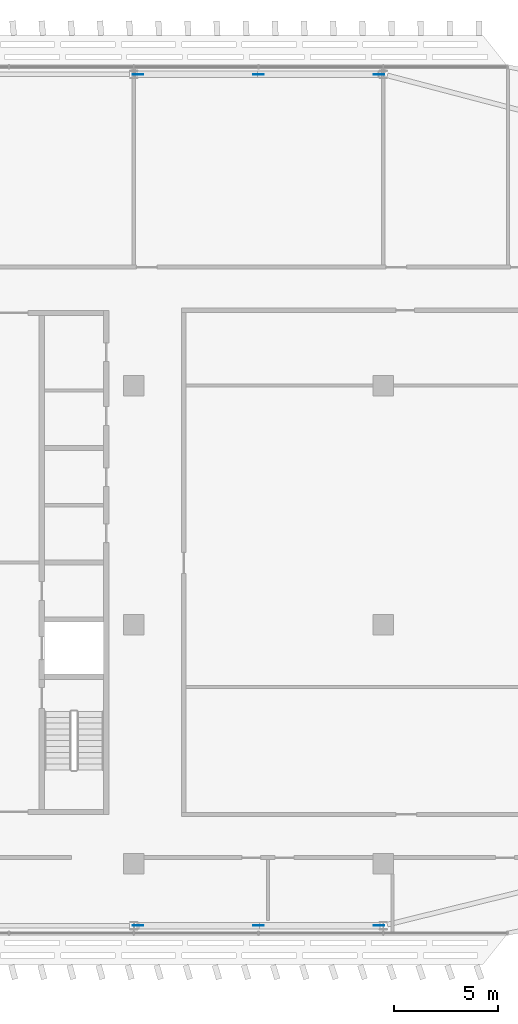
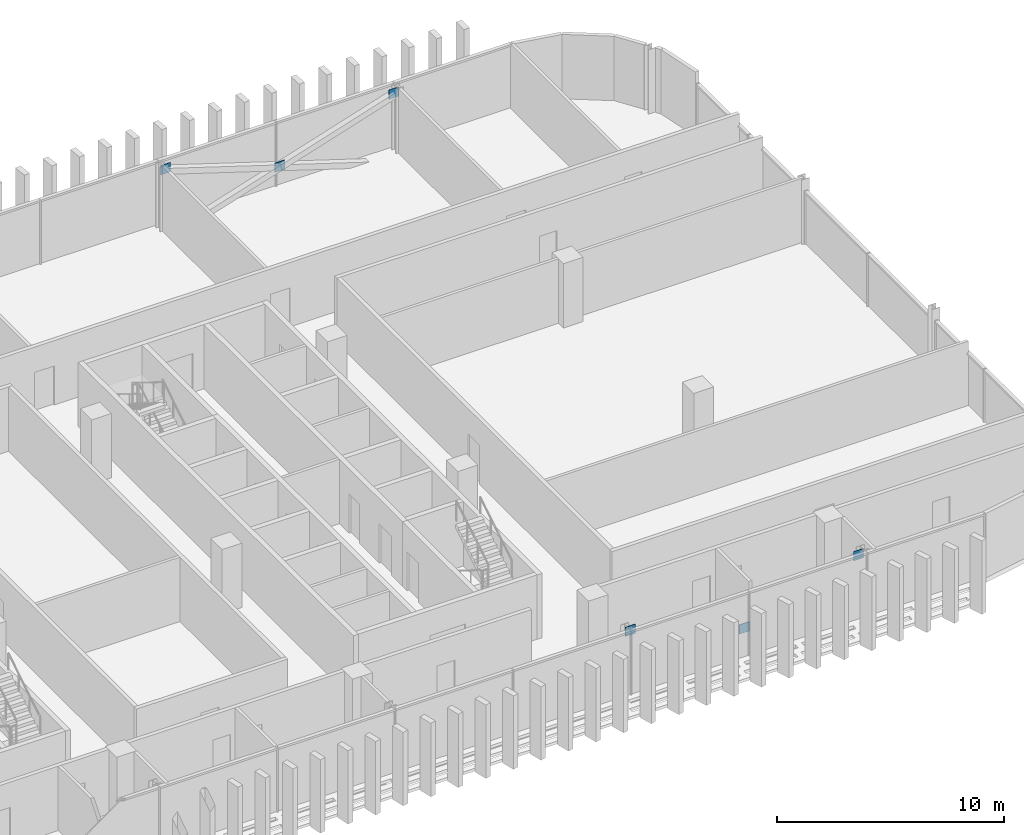
# One storey, part 26 of 35: 6 discrete accessories.
"""IFC4 building model written with IfcOpenShell, lengths in metres."""

from ifc_helpers import new_model, si_unit, direction, frame, origin, origin_2d, place, context, subcontext, project, spatial, rectangle, extrude, material, layer, layer_set, type_object, element, save


model = new_model("IFC4")

# Units and contexts
model_context = context("Model", 3, precision=1e-05, world=origin(), true_north=direction((0.0, 1.0)))
body_context = subcontext(model_context, "Body", "Model", "MODEL_VIEW")
ifc_project = project(units=[si_unit("LENGTHUNIT", "METRE"), si_unit("AREAUNIT", "SQUARE_METRE"), si_unit("VOLUMEUNIT", "CUBIC_METRE"), si_unit("PLANEANGLEUNIT", "RADIAN"), si_unit("MASSUNIT", "GRAM", prefix="KILO")], contexts=[model_context])

# Site, building, storey
site_placement = place(None, origin())
site = spatial("IfcSite", under=ifc_project, at=site_placement, CompositionType="ELEMENT")
building_placement = place(site_placement, origin())
building = spatial("IfcBuilding", under=site, at=building_placement, Name="Mahtab Terrace Research Tower", CompositionType="ELEMENT")
storey_placement = place(building_placement, frame((0.0, 0.0, 251.39990234375)))
storey = spatial("IfcBuildingStorey", under=building, at=storey_placement, Name="L61", CompositionType="ELEMENT", Elevation=251.39990234375)

# Discrete accessories
ifc_material = material(Name="Steel ASTM A992 Gr 50", Category="steel")
ifc_layer = layer(ifc_material, 0.030029296875)
ifc_layer_set = layer_set([ifc_layer], Name="Gusset plate 500x500x30")
discrete_accessory_type = type_object("IfcDiscreteAccessoryType", Name="Gusset plate 500x500x30", PredefinedType="USERDEFINED", material=ifc_layer_set)
for number, where, z_axis, x_axis, name in (
    (1, (30.199462890625, -14.472900390625, 2.906005859375), (0.0, 0.0, 1.0), (1.0, 0.0, 0.0), "Gusset plate"),
    (2, (30.199462890625, 26.472900390625, 2.906005859375), (0.0, 0.0, 1.0), (1.0, 0.0, 0.0), "Gusset plate"),
    (3, (36.0, -14.472900390625, 1.006591796875), (0.0, 0.0, 1.0), (1.0, 0.0, 0.0), "Gusset plate"),
    (4, (36.0, 26.472900390625, 1.006591796875), (0.0, 0.0, 1.0), (1.0, 0.0, 0.0), "Gusset plate"),
    (5, (41.800537109375, -14.472900390625, 2.906005859375), (0.0, 0.0, 1.0), (1.0, 0.0, 0.0), "Gusset plate"),
    (6, (41.800537109375, 26.472900390625, 2.906005859375), (0.0, 0.0, 1.0), (1.0, 0.0, 0.0), "Gusset plate"),
):
    element("IfcDiscreteAccessory", number, at=place(storey_placement, frame(where, z_axis=z_axis, x_axis=x_axis)), inside=storey, type_object=discrete_accessory_type, Name=name, ObjectType="GUSSET PLATE", PredefinedType="USERDEFINED", context=body_context, shape_type="SweptSolid", body=[
        extrude(rectangle(XDim=0.5, YDim=0.030029296875, at=origin_2d()), origin(), (0.0, 0.0, 1.0), 0.5),
    ])

save(model, "model.ifc")
